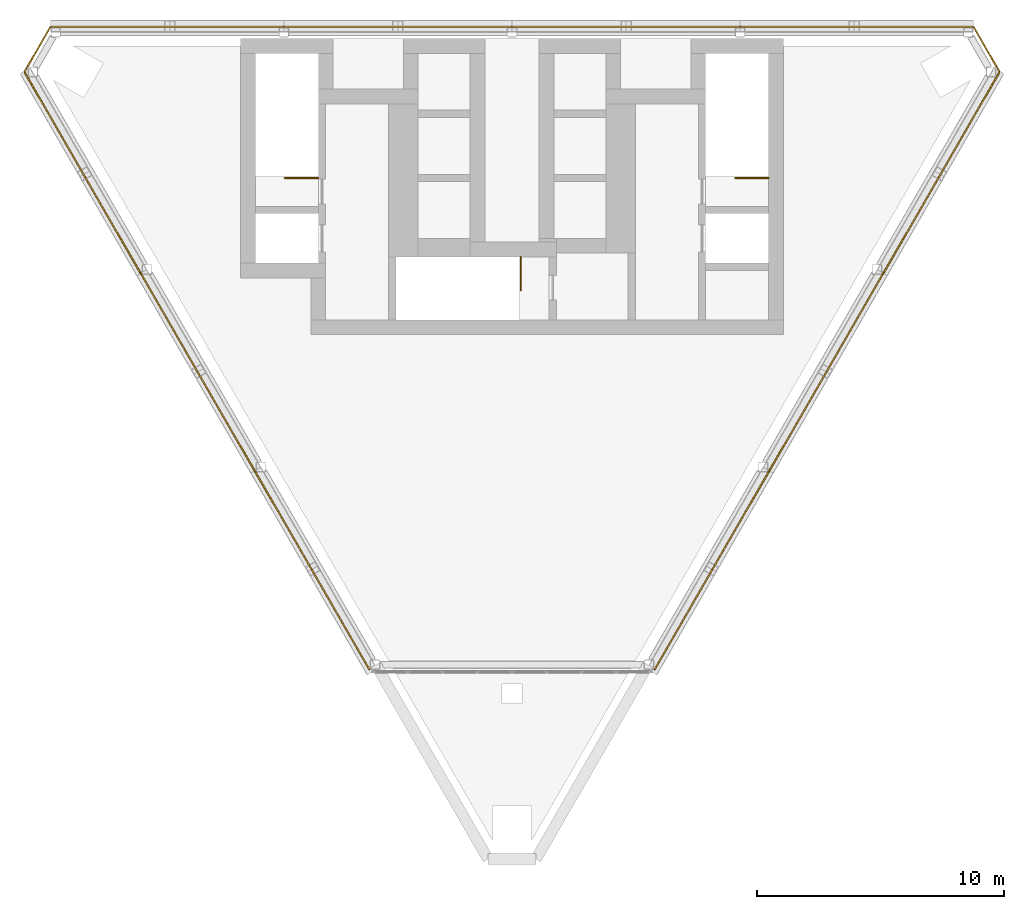
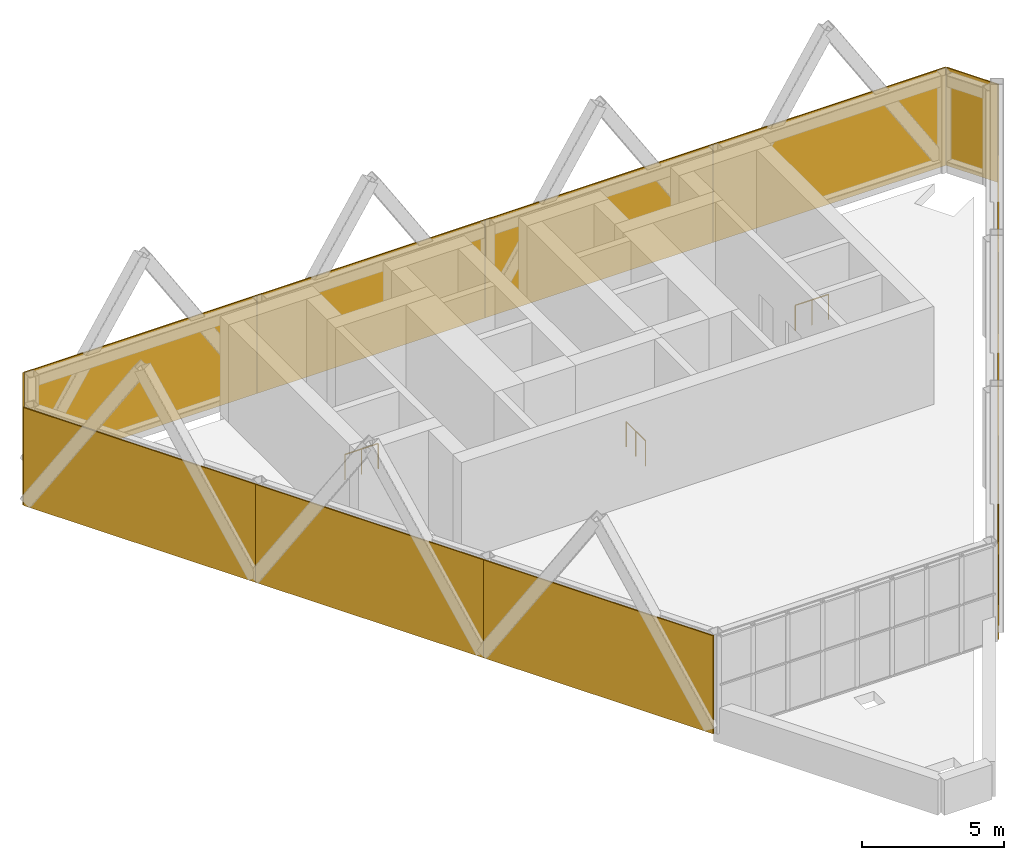
# One storey, part 5 of 5: 12 coverings, 3 railings.
"""IFC4 building model written with IfcOpenShell, lengths in metres."""

from ifc_helpers import new_model, si_unit, direction, frame, origin, origin_2d, place, context, subcontext, project, spatial, polyline, circle, outline, extrude, material, layer, layer_set, type_object, element, save


model = new_model("IFC4")

# Units and contexts
model_context = context("Model", 3, precision=1e-05, world=origin(), true_north=direction((0.0, 1.0)))
body_context = subcontext(model_context, "Body", "Model", "MODEL_VIEW")
ifc_project = project(units=[si_unit("LENGTHUNIT", "METRE"), si_unit("AREAUNIT", "SQUARE_METRE"), si_unit("VOLUMEUNIT", "CUBIC_METRE"), si_unit("PLANEANGLEUNIT", "RADIAN"), si_unit("MASSUNIT", "GRAM", prefix="KILO")], contexts=[model_context])

# Site, building, storey
site_placement = place(None, origin())
site = spatial("IfcSite", under=ifc_project, at=site_placement, CompositionType="ELEMENT")
building_placement = place(site_placement, origin())
building = spatial("IfcBuilding", under=site, at=building_placement, Name="Aloe Facet Convention Tower", CompositionType="ELEMENT")
storey_placement = place(building_placement, frame((0.0, 0.0, 285.5)))
storey = spatial("IfcBuildingStorey", under=building, at=storey_placement, Name="C1", CompositionType="ELEMENT", Elevation=285.5)

# Railings
ifc_material_1 = material(Name="Steel S355 balustrade", Category="steel")
railing_type = type_object("IfcRailingType", Name="CR-RL-GUARD", PredefinedType="GUARDRAIL", material=ifc_material_1)
for number, where, name in (
    (1, (72.14990234375, 128.89990234375, 0.0), "C1 ST1 top well guard 1"),
    (2, (90.39990234375, 128.89990234375, 0.0), "C1 ST2 top well guard 1"),
):
    element("IfcRailing", number, at=place(storey_placement, frame(where)), inside=storey, type_object=railing_type, Name=name, PredefinedType="GUARDRAIL", context=body_context, shape_type="SweptSolid", body=[
        extrude(circle(Radius=0.02392578125, at=origin_2d()), frame((0.0, 0.0, 1.076171875), z_axis=(-1.0, 0.0, 0.0), x_axis=(0.0, -1.0, 0.0)), (0.0, 0.0, 1.0), 1.349853515625),
        extrude(circle(Radius=0.02099609375, at=origin_2d()), origin(), (0.0, 0.0, 1.0), 1.052001953125),
        extrude(circle(Radius=0.02099609375, at=origin_2d()), frame((-0.6748046875, 0.0, 0.0)), (0.0, 0.0, 1.0), 1.052001953125),
        extrude(circle(Radius=0.02099609375, at=origin_2d()), frame((-1.349853515625, 0.0, 0.0)), (0.0, 0.0, 1.0), 1.052001953125),
    ])
railing_placement = place(storey_placement, frame((80.35009765625, 125.699951171875, 0.0)))
element("IfcRailing", 3, at=railing_placement, inside=storey, type_object=railing_type, Name="C1 ST3 top well guard 1", PredefinedType="GUARDRAIL", context=body_context, shape_type="SweptSolid", body=[
    extrude(circle(Radius=0.02392578125, at=origin_2d()), frame((0.0, 0.0, 1.076171875), z_axis=(0.0, -1.0, 0.0), x_axis=(1.0, 0.0, 0.0)), (0.0, 0.0, 1.0), 1.349853515625),
    extrude(circle(Radius=0.02099609375, at=origin_2d()), origin(), (0.0, 0.0, 1.0), 1.052001953125),
    extrude(circle(Radius=0.02099609375, at=origin_2d()), frame((0.0, -0.6748046875, 0.0)), (0.0, 0.0, 1.0), 1.052001953125),
    extrude(circle(Radius=0.02099609375, at=origin_2d()), frame((0.0, -1.349853515625, 0.0)), (0.0, 0.0, 1.0), 1.052001953125),
])

# Coverings
ifc_material_2 = material(Name="Perforated aluminium sheet, powder coated", Category="aluminium")
ifc_layer = layer(ifc_material_2, 0.050048828125)
ifc_layer_set = layer_set([ifc_layer], Name="EV-SCREEN-CROWN")
covering_type = type_object("IfcCoveringType", Name="EV-SCREEN-CROWN", PredefinedType="CLADDING", material=ifc_layer_set)
covering_1_placement = place(storey_placement, frame((98.68603515625, 135.0, 0.0), z_axis=(0.0, -1.0, 0.0), x_axis=(0.0, 0.0, 1.0)))
element("IfcCovering", 4, at=covering_1_placement, inside=storey, type_object=covering_type, Name="SCREEN C1-N01", PredefinedType="CLADDING", context=body_context, shape_type="SweptSolid", body=[
    extrude(outline(polyline([(0.0, 0.0), (4.199951171875, 0.0), (4.199951171875, 9.44287109375), (0.0, 9.44287109375), (0.0, 0.0)])), origin(), (0.0, 0.0, -1.0), 0.050048828125),
])
for number, where, z_axis, x_axis, name in (
    (5, (89.2431640625, 135.0, 0.0), (0.0, -1.0, 0.0), (0.0, 0.0, 1.0), "SCREEN C1-N02"),
    (6, (80.0, 135.0, 0.0), (0.0, -1.0, 0.0), (0.0, 0.0, 1.0), "SCREEN C1-N03"),
):
    element("IfcCovering", number, at=place(storey_placement, frame(where, z_axis=z_axis, x_axis=x_axis)), inside=storey, type_object=covering_type, Name=name, PredefinedType="CLADDING", context=body_context, shape_type="SweptSolid", body=[
        extrude(outline(polyline([(0.0, 0.0), (4.199951171875, 0.0), (4.199951171875, 9.2431640625), (0.0, 9.2431640625), (0.0, 0.0)])), origin(), (0.0, 0.0, -1.0), 0.050048828125),
    ])
covering_2_placement = place(storey_placement, frame((70.7568359375, 135.0, 0.0), z_axis=(0.0, -1.0, 0.0), x_axis=(0.0, 0.0, 1.0)))
element("IfcCovering", 7, at=covering_2_placement, inside=storey, type_object=covering_type, Name="SCREEN C1-N04", PredefinedType="CLADDING", context=body_context, shape_type="SweptSolid", body=[
    extrude(outline(polyline([(0.0, 0.0), (4.199951171875, 0.0), (4.199951171875, 9.44287109375), (0.0, 9.44287109375), (0.0, 0.0)])), origin(), (0.0, 0.0, -1.0), 0.050048828125),
])
covering_3_placement = place(storey_placement, frame((61.31396484375, 135.0, 0.0), z_axis=(0.865971028112, -0.500094169602, 0.0), x_axis=(0.0, 0.0, 1.0)))
element("IfcCovering", 8, at=covering_3_placement, inside=storey, type_object=covering_type, Name="SCREEN C1-Y05", PredefinedType="CLADDING", context=body_context, shape_type="SweptSolid", body=[
    extrude(outline(polyline([(0.0, 0.0), (4.199951171875, 0.0), (4.199951171875, 2.0845683315585433), (0.0, 2.0845683315585433), (0.0, 0.0)])), origin(), (0.0, 0.0, -1.0), 0.050048828125),
])
covering_4_placement = place(storey_placement, frame((60.271484375, 133.19482421875, 0.0), z_axis=(0.866024272797, 0.500001958922, 0.0), x_axis=(0.0, 0.0, 1.0)))
element("IfcCovering", 9, at=covering_4_placement, inside=storey, type_object=covering_type, Name="SCREEN C1-W06", PredefinedType="CLADDING", context=body_context, shape_type="SweptSolid", body=[
    extrude(outline(polyline([(0.0, 0.0), (4.199951171875, 0.0), (4.199951171875, 9.400842075219284), (0.0, 9.400842075219284), (0.0, 0.0)])), origin(), (0.0, 0.0, -1.0), 0.050048828125),
])
covering_5_placement = place(storey_placement, frame((64.971923828125, 125.053466796875, 0.0), z_axis=(0.866027240882, 0.49999681804, 0.0), x_axis=(0.0, 0.0, 1.0)))
element("IfcCovering", 10, at=covering_5_placement, inside=storey, type_object=covering_type, Name="SCREEN C1-W07", PredefinedType="CLADDING", context=body_context, shape_type="SweptSolid", body=[
    extrude(outline(polyline([(0.0, 0.0), (4.199951171875, 0.0), (4.199951171875, 9.243222885629816), (0.0, 9.243222885629816), (0.0, 0.0)])), origin(), (0.0, 0.0, -1.0), 0.050048828125),
])
for number, where, z_axis, x_axis, name in (
    (11, (69.593505859375, 117.048583984375, 0.0), (0.866021935375, 0.500006007413, 0.0), (0.0, 0.0, 1.0), "SCREEN C1-W08"),
    (12, (85.748291015625, 108.98046875, 0.0), (-0.866021935375, 0.500006007413, 0.0), (0.0, 0.0, 1.0), "SCREEN C1-E10"),
):
    element("IfcCovering", number, at=place(storey_placement, frame(where, z_axis=z_axis, x_axis=x_axis)), inside=storey, type_object=covering_type, Name=name, PredefinedType="CLADDING", context=body_context, shape_type="SweptSolid", body=[
        extrude(outline(polyline([(0.0, 0.0), (4.199951171875, 0.0), (4.199951171875, 9.316294316353135), (0.0, 9.316294316353135), (0.0, 0.0)])), origin(), (0.0, 0.0, -1.0), 0.050048828125),
    ])
covering_6_placement = place(storey_placement, frame((90.406494140625, 117.048583984375, 0.0), z_axis=(-0.866027240882, 0.49999681804, 0.0), x_axis=(0.0, 0.0, 1.0)))
element("IfcCovering", 13, at=covering_6_placement, inside=storey, type_object=covering_type, Name="SCREEN C1-E11", PredefinedType="CLADDING", context=body_context, shape_type="SweptSolid", body=[
    extrude(outline(polyline([(0.0, 0.0), (4.199951171875, 0.0), (4.199951171875, 9.243222885629816), (0.0, 9.243222885629816), (0.0, 0.0)])), origin(), (0.0, 0.0, -1.0), 0.050048828125),
])
covering_7_placement = place(storey_placement, frame((95.028076171875, 125.053466796875, 0.0), z_axis=(-0.866024272797, 0.500001958922, 0.0), x_axis=(0.0, 0.0, 1.0)))
element("IfcCovering", 14, at=covering_7_placement, inside=storey, type_object=covering_type, Name="SCREEN C1-E12", PredefinedType="CLADDING", context=body_context, shape_type="SweptSolid", body=[
    extrude(outline(polyline([(0.0, 0.0), (4.199951171875, 0.0), (4.199951171875, 9.400842075219284), (0.0, 9.400842075219284), (0.0, 0.0)])), origin(), (0.0, 0.0, -1.0), 0.050048828125),
])
covering_8_placement = place(storey_placement, frame((99.728515625, 133.19482421875, 0.0), z_axis=(-0.865971028112, -0.500094169602, 0.0), x_axis=(0.0, 0.0, 1.0)))
element("IfcCovering", 15, at=covering_8_placement, inside=storey, type_object=covering_type, Name="SCREEN C1-X13", PredefinedType="CLADDING", context=body_context, shape_type="SweptSolid", body=[
    extrude(outline(polyline([(0.0, 0.0), (4.199951171875, 0.0), (4.199951171875, 2.0845683315585433), (0.0, 2.0845683315585433), (0.0, 0.0)])), origin(), (0.0, 0.0, -1.0), 0.050048828125),
])

save(model, "model.ifc")
